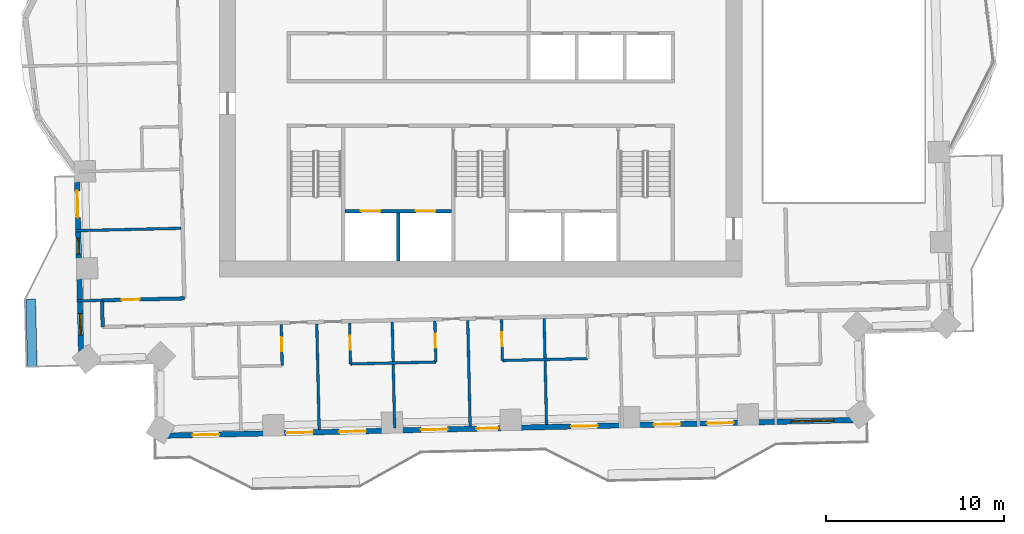
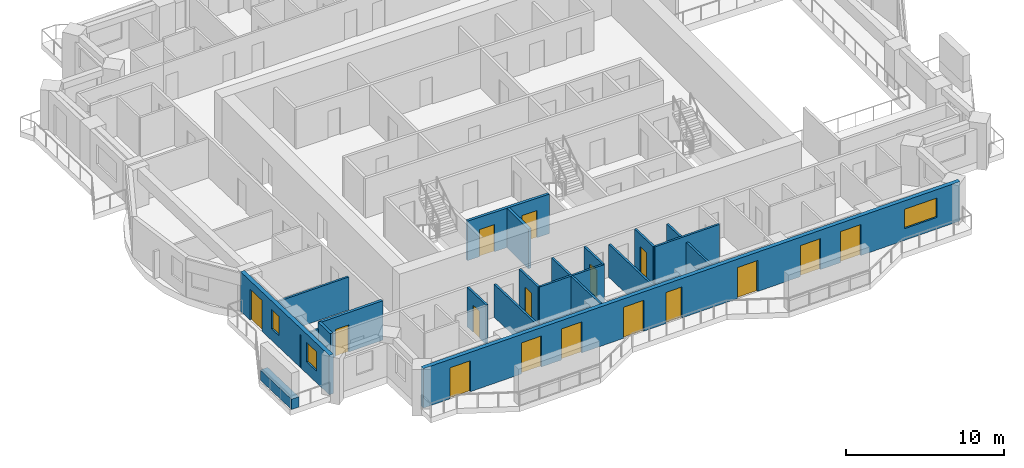
# One storey, part 6 of 16: 19 walls, 16 doors, 3 windows, 19 openings.
"""IFC4 building model written with IfcOpenShell, lengths in metres."""

import ifcopenshell
import ifcopenshell.guid

model = None  # the IFC model being written
_history = None  # IfcOwnerHistory: only IFC2X3 demands one
_inside = {}  # id of a spatial element -> (the spatial element, [elements in it])
_under = {}  # id of a project, library or spatial element -> (it, [spatial elements below it])
_declared = {}  # id of a project -> (the project, [libraries it declares])
_typed = {}  # id of a type object -> (the type object, [elements of that type])
_made_of = {}  # id of a material, layer set ... -> (it, [elements and type objects made of it])


def new_model(schema):
    """Start an empty IFC model of exactly this schema.

    Asked for "IFC4X3", IfcOpenShell would pick the latest addendum, in which some entities
    have other attributes; the version numbers below select the first issue.
    IFC2X3 requires an IfcOwnerHistory on every rooted entity: one is made here for all.
    """
    global model, _history
    if schema == "IFC4X3":
        model = ifcopenshell.file(schema_version=(4, 3, 0, 0))
    else:
        model = ifcopenshell.file(schema=schema)
    _inside.clear()
    _under.clear()
    _declared.clear()
    _typed.clear()
    _made_of.clear()
    _history = None
    if model.schema == "IFC2X3":
        org = make("IfcOrganization", Name="unknown")
        user = make(
            "IfcPersonAndOrganization",
            ThePerson=make("IfcPerson", FamilyName="unknown"),
            TheOrganization=org,
        )
        app = make(
            "IfcApplication",
            ApplicationDeveloper=org,
            Version="unknown",
            ApplicationFullName="unknown",
            ApplicationIdentifier="unknown",
        )
        _history = make(
            "IfcOwnerHistory",
            OwningUser=user,
            OwningApplication=app,
            ChangeAction="ADDED",
            CreationDate=0,
        )
    return model


def make(cls, **values):
    """One entity of the class cls with the attributes given. An attribute that is None is left unset."""
    return model.create_entity(
        cls, **{name: value for name, value in values.items() if value is not None}
    )


def rooted(cls, **values):
    """An entity with a GlobalId (a new one), such as an element, a storey or a relation."""
    return make(cls, GlobalId=ifcopenshell.guid.new(), OwnerHistory=_history, **values)


def si_unit(unit_type, name, prefix=None):
    """IfcSIUnit, for example si_unit("LENGTHUNIT", "METRE", prefix="MILLI")."""
    return make("IfcSIUnit", UnitType=unit_type, Prefix=prefix, Name=name)


def assignment(units):
    """IfcUnitAssignment: the units of a project."""
    return None if units is None else make("IfcUnitAssignment", Units=units)


def point(xyz):
    """IfcCartesianPoint."""
    return None if xyz is None else make("IfcCartesianPoint", Coordinates=xyz)


def direction(xyz):
    """IfcDirection."""
    return None if xyz is None else make("IfcDirection", DirectionRatios=xyz)


def frame(location, z_axis=None, x_axis=None):
    """IfcAxis2Placement3D, a coordinate frame: its origin and axes. An axis left out is left unset."""
    return make(
        "IfcAxis2Placement3D",
        Location=point(location),
        Axis=direction(z_axis),
        RefDirection=direction(x_axis),
    )


def frame_2d(location, x_axis=None):
    """IfcAxis2Placement2D, a coordinate frame in the plane: its origin and x axis."""
    return make(
        "IfcAxis2Placement2D", Location=point(location), RefDirection=direction(x_axis)
    )


def origin():
    """The frame at (0, 0, 0) with its axes left unset."""
    return frame((0.0, 0.0, 0.0))


def place(relative_to, where):
    """IfcLocalPlacement: puts the frame where relative to a parent placement (None: the world)."""
    return make(
        "IfcLocalPlacement", PlacementRelTo=relative_to, RelativePlacement=where
    )


def context(
    kind, dimensions, precision=None, world=None, true_north=None, identifier=None
):
    """IfcGeometricRepresentationContext, for example the 3D "Model" context."""
    return make(
        "IfcGeometricRepresentationContext",
        ContextIdentifier=identifier,
        ContextType=kind,
        CoordinateSpaceDimension=dimensions,
        Precision=precision,
        WorldCoordinateSystem=world,
        TrueNorth=true_north,
    )


def subcontext(parent, identifier, kind, view, scale=None):
    """IfcGeometricRepresentationSubContext, for example "Body" below "Model"."""
    return make(
        "IfcGeometricRepresentationSubContext",
        ContextIdentifier=identifier,
        ContextType=kind,
        ParentContext=parent,
        TargetScale=scale,
        TargetView=view,
    )


def project(units=None, contexts=None):
    """IfcProject with its units and contexts."""
    return rooted(
        "IfcProject",
        Name="project",
        RepresentationContexts=contexts,
        UnitsInContext=assignment(units),
    )


def spatial(cls, under=None, at=None, **own):
    """A site, building, storey or space (cls), placed at a placement, below another one or the project."""
    s = rooted(cls, ObjectPlacement=at, **own)
    if under is not None:
        _under.setdefault(under.id(), (under, []))[1].append(s)
    return s


def profile(cls, at=None, kind="AREA", **sizes):
    """A parametric profile (cls). Its sizes go by their IFC names, for example OverallWidth=200.0."""
    return make(cls, ProfileType=kind, Position=at, **sizes)


def rectangle(**sizes):
    """IfcRectangleProfileDef."""
    return profile("IfcRectangleProfileDef", **sizes)


def extrude(swept, where, along, depth):
    """IfcExtrudedAreaSolid: the profile swept, set in the frame where, extruded along a direction by depth."""
    return make(
        "IfcExtrudedAreaSolid",
        SweptArea=swept,
        Position=where,
        ExtrudedDirection=direction(along),
        Depth=depth,
    )


def shape(context_of_items, identifier, shape_type, items):
    """IfcShapeRepresentation: the items that make up one representation, for example the "Body"."""
    return make(
        "IfcShapeRepresentation",
        ContextOfItems=context_of_items,
        RepresentationIdentifier=identifier,
        RepresentationType=shape_type,
        Items=items,
    )


def material(Name=None, Category=None):
    """IfcMaterial."""
    return make("IfcMaterial", Name=Name, Category=Category)


def layer(
    of_material, thickness, ventilated=None, Name=None, Category=None, Priority=None
):
    """IfcMaterialLayer: one layer of a wall or slab, of a material (None: an air gap)."""
    return make(
        "IfcMaterialLayer",
        Material=of_material,
        LayerThickness=thickness,
        IsVentilated=ventilated,
        Name=Name,
        Category=Category,
        Priority=Priority,
    )


def layer_set(layers, Name=None):
    """IfcMaterialLayerSet."""
    return make("IfcMaterialLayerSet", MaterialLayers=layers, LayerSetName=Name)


def made_of(thing, what):
    """Note that an element or type object is made of a material, layer set ...; save() writes the relation."""
    if what is not None:
        _made_of.setdefault(what.id(), (what, []))[1].append(thing)
    return thing


def type_object(cls, material=None, **own):
    """A type object (cls), such as IfcWallType, which elements share."""
    return made_of(rooted(cls, **own), material)


def element(
    cls,
    number,
    at=None,
    inside=None,
    cuts=None,
    type_object=None,
    material=None,
    context=None,
    identifier="Body",
    shape_type=None,
    held_by="IfcProductDefinitionShape",
    body=None,
    shapes=None,
    **own,
):
    """One element of the class cls, such as IfcWall. Its Tag is "e" and its number.

    at: its placement. inside: the storey or other place that contains it. cuts: it is an
    opening in that element (IfcRelVoidsElement). A single representation is given by context,
    identifier, shape_type and body (its items); several are given by shapes. held_by: the class
    of the entity that holds the representations. save() writes the other relations.
    """
    e = rooted(cls, Tag="e%d" % number, ObjectPlacement=at, **own)
    if body is not None:
        shapes = [shape(context, identifier, shape_type, body)]
    if shapes is not None:
        e.Representation = make(held_by, Representations=shapes)
    if inside is not None:
        _inside.setdefault(inside.id(), (inside, []))[1].append(e)
    if cuts is not None:
        rooted(
            "IfcRelVoidsElement", RelatingBuildingElement=cuts, RelatedOpeningElement=e
        )
    if type_object is not None:
        _typed.setdefault(type_object.id(), (type_object, []))[1].append(e)
    return made_of(e, material)


def fill(opening, filler):
    """IfcRelFillsElement: the door or window that sits in an opening."""
    return rooted(
        "IfcRelFillsElement",
        RelatingOpeningElement=opening,
        RelatedBuildingElement=filler,
    )


def aggregate(whole, parts):
    """IfcRelAggregates: a whole, such as a stair, and the parts it consists of."""
    return rooted("IfcRelAggregates", RelatingObject=whole, RelatedObjects=parts)


def save(model, path):
    """Write the relations noted so far, then the file.

    IfcRelAggregates (storeys below a building ...), IfcRelContainedInSpatialStructure (elements
    in a storey), IfcRelDefinesByType, IfcRelAssociatesMaterial and IfcRelDeclares: one each for
    every whole, place, type object, material and project.
    """
    for whole, parts in _under.values():
        aggregate(whole, parts)
    for where, things in _inside.values():
        rooted(
            "IfcRelContainedInSpatialStructure",
            RelatedElements=things,
            RelatingStructure=where,
        )
    for kind, things in _typed.values():
        rooted("IfcRelDefinesByType", RelatedObjects=things, RelatingType=kind)
    for what, things in _made_of.values():
        rooted("IfcRelAssociatesMaterial", RelatedObjects=things, RelatingMaterial=what)
    for by, libraries in _declared.values():
        rooted("IfcRelDeclares", RelatingContext=by, RelatedDefinitions=libraries)
    model.write(path)


model = new_model("IFC4")

# Units and contexts
model_context = context("Model", 3, precision=1e-05, world=origin(), true_north=direction((0.0, 1.0)))
body_context = subcontext(model_context, "Body", "Model", "MODEL_VIEW")
ifc_project = project(units=[si_unit("LENGTHUNIT", "METRE"), si_unit("AREAUNIT", "SQUARE_METRE"), si_unit("VOLUMEUNIT", "CUBIC_METRE"), si_unit("PLANEANGLEUNIT", "RADIAN"), si_unit("MASSUNIT", "GRAM", prefix="KILO")], contexts=[model_context])

# Site, building, storey
site_placement = place(None, origin())
site = spatial("IfcSite", under=ifc_project, at=site_placement, CompositionType="ELEMENT")
building_placement = place(site_placement, origin())
building = spatial("IfcBuilding", under=site, at=building_placement, Name="Mangrove Gate Tower", CompositionType="ELEMENT")
storey_placement = place(building_placement, frame((0.0, 0.0, 178.89990234375)))
storey = spatial("IfcBuildingStorey", under=building, at=storey_placement, Name="L45", CompositionType="ELEMENT", Elevation=178.89990234375)

# Wall, openings, doors
ifc_material_1 = material(Name="Concrete C60/75", Category="concrete")
ifc_layer_1 = layer(ifc_material_1, 0.199951171875)
ifc_layer_set_1 = layer_set([ifc_layer_1], Name="Core shaft wall 200 C60/75")
wall_type_1 = type_object("IfcWallType", Name="Core shaft wall 200 C60/75", PredefinedType="SHEAR", material=ifc_layer_set_1)
wall_1_placement = place(storey_placement, frame((-7.64990234375, -8.0, 0.0), z_axis=(0.0, 0.0, 1.0), x_axis=(1.0, 0.0, 0.0)))
wall_1 = element("IfcWall", 1, at=wall_1_placement, inside=storey, type_object=wall_type_1, Name="WALL-L45-CORE-15", PredefinedType="SHEAR", context=body_context, shape_type="SweptSolid", body=[
    extrude(rectangle(XDim=6.0, YDim=0.199951171875, at=frame_2d((3.0, 0.0))), origin(), (0.0, 0.0, 1.0), 3.050048828125),
])
opening_1_placement = place(wall_1_placement, frame((0.89990234375, 0.0, 0.0)))
opening_1 = element("IfcOpeningElement", 2, at=opening_1_placement, cuts=wall_1, Name="Opening LD", PredefinedType="OPENING", context=body_context, shape_type="SweptSolid", body=[
    extrude(rectangle(XDim=1.10009765625, YDim=2.10009765625, at=frame_2d((0.550048828125, 1.050048828125))), frame((0.0, 0.10986328125, 0.0), z_axis=(0.0, -1.0, 0.0), x_axis=(1.0, 0.0, 0.0)), (0.0, 0.0, 1.0), 0.219970703125),
])
opening_2_placement = place(wall_1_placement, frame((4.0, 0.0, 0.0)))
opening_2 = element("IfcOpeningElement", 3, at=opening_2_placement, cuts=wall_1, Name="Opening LD", PredefinedType="OPENING", context=body_context, shape_type="SweptSolid", body=[
    extrude(rectangle(XDim=1.10009765625, YDim=2.10009765625, at=frame_2d((0.550048828125, 1.050048828125))), frame((0.0, 0.10986328125, 0.0), z_axis=(0.0, -1.0, 0.0), x_axis=(1.0, 0.0, 0.0)), (0.0, 0.0, 1.0), 0.219970703125),
])
ifc_material_2 = material(Name="Stainless steel 316", Category="steel")
door_type_1 = type_object("IfcDoorType", Name="Lift landing door 1100x2100", OperationType="SLIDING_TO_LEFT", PredefinedType="DOOR", material=ifc_material_2)
door_1_placement = place(opening_1_placement, origin())
door_1 = element("IfcDoor", 4, at=door_1_placement, inside=storey, type_object=door_type_1, Name="Landing door LD SVL1", OperationType="SLIDING_TO_LEFT", OverallHeight=2.10009765625, OverallWidth=1.10009765625, PredefinedType="DOOR", context=body_context, shape_type="SweptSolid", body=[
    extrude(rectangle(XDim=1.10009765625, YDim=2.10009765625, at=frame_2d((0.550048828125, 1.050048828125))), frame((0.0, 0.02490234375, 0.0), z_axis=(0.0, -1.0, 0.0), x_axis=(1.0, 0.0, 0.0)), (0.0, 0.0, 1.0), 0.050048828125),
])
fill(opening_1, door_1)
door_2_placement = place(opening_2_placement, origin())
door_2 = element("IfcDoor", 5, at=door_2_placement, inside=storey, type_object=door_type_1, Name="Landing door LD SVL2", OperationType="SLIDING_TO_LEFT", OverallHeight=2.10009765625, OverallWidth=1.10009765625, PredefinedType="DOOR", context=body_context, shape_type="SweptSolid", body=[
    extrude(rectangle(XDim=1.10009765625, YDim=2.10009765625, at=frame_2d((0.550048828125, 1.050048828125))), frame((0.0, 0.02490234375, 0.0), z_axis=(0.0, -1.0, 0.0), x_axis=(1.0, 0.0, 0.0)), (0.0, 0.0, 1.0), 0.050048828125),
])
fill(opening_2, door_2)

# Walls
wall_2_placement = place(storey_placement, frame((-4.64990234375, -10.800048828125, 0.0), z_axis=(0.0, 0.0, 1.0), x_axis=(0.0, 1.0, 0.0)))
element("IfcWall", 6, at=wall_2_placement, inside=storey, type_object=wall_type_1, Name="WALL-L45-CORE-16", PredefinedType="SHEAR", context=body_context, shape_type="SweptSolid", body=[
    extrude(rectangle(XDim=2.699951171875, YDim=0.199951171875, at=frame_2d((1.35009765625, 0.0))), origin(), (0.0, 0.0, 1.0), 3.050048828125),
])
ifc_material_3 = material(Name="Gypsum board on steel stud, EI 60", Category="steel")
ifc_layer_2 = layer(ifc_material_3, 0.199951171875)
ifc_layer_set_2 = layer_set([ifc_layer_2], Name="Corridor wall EI 60")
wall_type_2 = type_object("IfcWallType", Name="Corridor wall EI 60", PredefinedType="PARTITIONING", material=ifc_layer_set_2)
wall_3_placement = place(storey_placement, frame((-21.279052734375, -14.52294921875, 0.0), z_axis=(0.0, 0.0, 1.0), x_axis=(-0.022632637625, 0.99974384905, 0.0)))
element("IfcWall", 7, at=wall_3_placement, inside=storey, type_object=wall_type_2, Name="WALL-L45-025", PredefinedType="PARTITIONING", context=body_context, shape_type="SweptSolid", body=[
    extrude(rectangle(XDim=1.49951171875, YDim=0.199951171875, at=frame_2d((0.749755859375, 0.0))), origin(), (0.0, 0.0, 1.0), 3.050048828125),
])

# Wall, opening, door
wall_4_placement = place(storey_placement, frame((-21.31298828125, -13.02392578125, 0.0), z_axis=(0.0, 0.0, 1.0), x_axis=(0.999738699021, 0.022858995594, 0.0)))
wall_4 = element("IfcWall", 8, at=wall_4_placement, inside=storey, type_object=wall_type_2, Name="WALL-L45-028", PredefinedType="PARTITIONING", context=body_context, shape_type="SweptSolid", body=[
    extrude(rectangle(XDim=4.63525390625, YDim=0.199951171875, at=frame_2d((2.317626953125, 0.0))), origin(), (0.0, 0.0, 1.0), 3.050048828125),
])
opening_3_placement = place(wall_4_placement, frame((1.116943359375, 0.0, 0.0)))
opening_3 = element("IfcOpeningElement", 9, at=opening_3_placement, cuts=wall_4, Name="Opening AD", PredefinedType="OPENING", context=body_context, shape_type="SweptSolid", body=[
    extrude(rectangle(XDim=1.0, YDim=2.10009765625, at=frame_2d((0.5, 1.050048828125))), frame((0.0, 0.10986328125, 0.0), z_axis=(0.0, -1.0, 0.0), x_axis=(1.0, 0.0, 0.0)), (0.0, 0.0, 1.0), 0.219970703125),
])
ifc_material_4 = material(Name="Timber door leaf", Category="wood")
door_type_2 = type_object("IfcDoorType", Name="Amenity door 1000", OperationType="SINGLE_SWING_LEFT", PredefinedType="DOOR", material=ifc_material_4)
door_3_placement = place(opening_3_placement, origin())
door_3 = element("IfcDoor", 10, at=door_3_placement, inside=storey, type_object=door_type_2, Name="DOOR-L45-KIT-c5b", OperationType="SINGLE_SWING_LEFT", OverallHeight=2.10009765625, OverallWidth=1.0, PredefinedType="DOOR", context=body_context, shape_type="SweptSolid", body=[
    extrude(rectangle(XDim=1.0, YDim=2.10009765625, at=frame_2d((0.5, 1.050048828125))), frame((0.0, 0.02490234375, 0.0), z_axis=(0.0, -1.0, 0.0), x_axis=(1.0, 0.0, 0.0)), (0.0, 0.0, 1.0), 0.050048828125),
])
fill(opening_3, door_3)

# Wall, openings, door, windows
ifc_material_5 = material(Name="Limestone", Category="masonry")
ifc_layer_3 = layer(ifc_material_5, 0.0400390625, Name="Limestone cladding")
ifc_material_6 = material(Name="Ventilated air gap")
ifc_layer_4 = layer(ifc_material_6, 0.0400390625, Name="Ventilated cavity")
ifc_material_7 = material(Name="Mineral wool insulation")
ifc_layer_5 = layer(ifc_material_7, 0.06005859375, Name="Insulation")
ifc_material_8 = material(Name="Breather membrane")
ifc_layer_6 = layer(ifc_material_8, 0.001953125, Name="Breather membrane")
ifc_material_9 = material(Name="Concrete C20/25 blockwork", Category="masonry")
ifc_layer_7 = layer(ifc_material_9, 0.14990234375, Name="Blockwork backing wall")
ifc_material_10 = material(Name="Gypsum plaster")
ifc_layer_8 = layer(ifc_material_10, 0.008056640625, Name="Internal plaster")
ifc_layer_set_3 = layer_set([ifc_layer_3, ifc_layer_4, ifc_layer_5, ifc_layer_6, ifc_layer_7, ifc_layer_8], Name="External wall 300 limestone cladding")
wall_type_3 = type_object("IfcWallType", Name="External wall 300 limestone cladding", PredefinedType="SOLIDWALL", material=ifc_layer_set_3)
wall_5_placement = place(storey_placement, frame((-22.72900390625, -5.72509765625, 0.0), z_axis=(0.0, 0.0, 1.0), x_axis=(0.022726014582, -0.999741730779, 0.0)))
wall_5 = element("IfcWall", 11, at=wall_5_placement, inside=storey, type_object=wall_type_3, Name="WALL-L45-W10", PredefinedType="SOLIDWALL", context=body_context, shape_type="SweptSolid", body=[
    extrude(rectangle(XDim=10.82861328125, YDim=0.300048828125, at=frame_2d((5.414306640625, 0.0))), origin(), (0.0, 0.0, 1.0), 3.050048828125),
])
opening_4_placement = place(wall_5_placement, frame((1.14208984375, 0.0, 0.0)))
opening_4 = element("IfcOpeningElement", 12, at=opening_4_placement, cuts=wall_5, Name="Opening BD1", PredefinedType="OPENING", context=body_context, shape_type="SweptSolid", body=[
    extrude(rectangle(XDim=1.5, YDim=2.39990234375, at=frame_2d((0.75, 1.199951171875))), frame((0.0, 0.159912109375, 0.0), z_axis=(0.0, -1.0, 0.0), x_axis=(1.0, 0.0, 0.0)), (0.0, 0.0, 1.0), 0.320068359375),
])
opening_5_placement = place(wall_5_placement, frame((3.798095703125, 0.0, 0.89990234375)))
opening_5 = element("IfcOpeningElement", 13, at=opening_5_placement, cuts=wall_5, Name="Opening W5", PredefinedType="OPENING", context=body_context, shape_type="SweptSolid", body=[
    extrude(rectangle(XDim=0.89990234375, YDim=1.5, at=frame_2d((0.449951171875, 0.75))), frame((0.0, 0.159912109375, 0.0), z_axis=(0.0, -1.0, 0.0), x_axis=(1.0, 0.0, 0.0)), (0.0, 0.0, 1.0), 0.320068359375),
])
opening_6_placement = place(wall_5_placement, frame((8.050048828125, 0.0, 0.89990234375)))
opening_6 = element("IfcOpeningElement", 14, at=opening_6_placement, cuts=wall_5, Name="Opening W1", PredefinedType="OPENING", context=body_context, shape_type="SweptSolid", body=[
    extrude(rectangle(XDim=1.199951171875, YDim=1.5, at=frame_2d((0.60009765625, 0.75))), frame((0.0, 0.159912109375, 0.0), z_axis=(0.0, -1.0, 0.0), x_axis=(1.0, 0.0, 0.0)), (0.0, 0.0, 1.0), 0.320068359375),
])
ifc_material_11 = material(Name="Aluminium frame with laminated clear glass", Category="aluminium")
door_type_3 = type_object("IfcDoorType", Name="Balcony sliding door 1500x2400", OperationType="SLIDING_TO_LEFT", PredefinedType="DOOR", material=ifc_material_11)
door_4_placement = place(opening_4_placement, origin())
door_4 = element("IfcDoor", 15, at=door_4_placement, inside=storey, type_object=door_type_3, Name="DOOR-L45-W10-1", OperationType="SLIDING_TO_LEFT", OverallHeight=2.39990234375, OverallWidth=1.5, PredefinedType="DOOR", context=body_context, shape_type="SweptSolid", body=[
    extrude(rectangle(XDim=1.5, YDim=2.39990234375, at=frame_2d((0.75, 1.199951171875))), frame((0.0, 0.02490234375, 0.0), z_axis=(0.0, -1.0, 0.0), x_axis=(1.0, 0.0, 0.0)), (0.0, 0.0, 1.0), 0.050048828125),
])
fill(opening_4, door_4)
ifc_material_12 = material(Name="Aluminium frame with double-glazed low-e glass", Category="aluminium")
window_type_1 = type_object("IfcWindowType", Name="Narrow window 900x1500", PartitioningType="SINGLE_PANEL", PredefinedType="WINDOW", material=ifc_material_12)
window_1_placement = place(opening_5_placement, origin())
window_1 = element("IfcWindow", 16, at=window_1_placement, inside=storey, type_object=window_type_1, Name="WIN-L45-W10-2", OverallHeight=1.5, OverallWidth=0.89990234375, PartitioningType="SINGLE_PANEL", PredefinedType="WINDOW", context=body_context, shape_type="SweptSolid", body=[
    extrude(rectangle(XDim=0.89990234375, YDim=1.5, at=frame_2d((0.449951171875, 0.75))), frame((0.0, 0.030029296875, 0.0), z_axis=(0.0, -1.0, 0.0), x_axis=(1.0, 0.0, 0.0)), (0.0, 0.0, 1.0), 0.06005859375),
])
fill(opening_5, window_1)
ifc_material_13 = material(Name="Aluminium frame with double-glazed low-e glass", Category="aluminium")
window_type_2 = type_object("IfcWindowType", Name="Side lite 1200x1500", PartitioningType="SINGLE_PANEL", PredefinedType="WINDOW", material=ifc_material_13)
window_2_placement = place(opening_6_placement, origin())
window_2 = element("IfcWindow", 17, at=window_2_placement, inside=storey, type_object=window_type_2, Name="WIN-L45-W10-3", OverallHeight=1.5, OverallWidth=1.199951171875, PartitioningType="SINGLE_PANEL", PredefinedType="WINDOW", context=body_context, shape_type="SweptSolid", body=[
    extrude(rectangle(XDim=1.199951171875, YDim=1.5, at=frame_2d((0.60009765625, 0.75))), frame((0.0, 0.030029296875, 0.0), z_axis=(0.0, -1.0, 0.0), x_axis=(1.0, 0.0, 0.0)), (0.0, 0.0, 1.0), 0.06005859375),
])
fill(opening_6, window_2)

# Wall, openings, doors, window
wall_6_placement = place(storey_placement, frame((-18.18896484375, -20.655029296875, 0.0), z_axis=(0.0, 0.0, 1.0), x_axis=(0.999742285265, 0.022701609063, 0.0)))
wall_6 = element("IfcWall", 18, at=wall_6_placement, inside=storey, type_object=wall_type_3, Name="WALL-L45-S13", PredefinedType="SOLIDWALL", context=body_context, shape_type="SweptSolid", body=[
    extrude(rectangle(XDim=39.7802734375, YDim=0.300048828125, at=frame_2d((19.89013671875, 0.0))), origin(), (0.0, 0.0, 1.0), 3.050048828125),
])
opening_7_placement = place(wall_6_placement, frame((1.972900390625, 0.0, 0.0)))
opening_7 = element("IfcOpeningElement", 19, at=opening_7_placement, cuts=wall_6, Name="Opening BD1", PredefinedType="OPENING", context=body_context, shape_type="SweptSolid", body=[
    extrude(rectangle(XDim=1.5, YDim=2.39990234375, at=frame_2d((0.75, 1.199951171875))), frame((0.0, 0.159912109375, 0.0), z_axis=(0.0, -1.0, 0.0), x_axis=(1.0, 0.0, 0.0)), (0.0, 0.0, 1.0), 0.320068359375),
])
opening_8_placement = place(wall_6_placement, frame((7.239990234375, 0.0, 0.0)))
opening_8 = element("IfcOpeningElement", 20, at=opening_8_placement, cuts=wall_6, Name="Opening BD1", PredefinedType="OPENING", context=body_context, shape_type="SweptSolid", body=[
    extrude(rectangle(XDim=1.5, YDim=2.39990234375, at=frame_2d((0.75, 1.199951171875))), frame((0.0, 0.159912109375, 0.0), z_axis=(0.0, -1.0, 0.0), x_axis=(1.0, 0.0, 0.0)), (0.0, 0.0, 1.0), 0.320068359375),
])
opening_9_placement = place(wall_6_placement, frame((10.22998046875, 0.0, 0.0)))
opening_9 = element("IfcOpeningElement", 21, at=opening_9_placement, cuts=wall_6, Name="Opening BD1", PredefinedType="OPENING", context=body_context, shape_type="SweptSolid", body=[
    extrude(rectangle(XDim=1.5, YDim=2.39990234375, at=frame_2d((0.75, 1.199951171875))), frame((0.0, 0.159912109375, 0.0), z_axis=(0.0, -1.0, 0.0), x_axis=(1.0, 0.0, 0.0)), (0.0, 0.0, 1.0), 0.320068359375),
])
opening_10_placement = place(wall_6_placement, frame((14.830078125, 0.0, 0.0)))
opening_10 = element("IfcOpeningElement", 22, at=opening_10_placement, cuts=wall_6, Name="Opening BD1", PredefinedType="OPENING", context=body_context, shape_type="SweptSolid", body=[
    extrude(rectangle(XDim=1.5, YDim=2.39990234375, at=frame_2d((0.75, 1.199951171875))), frame((0.0, 0.159912109375, 0.0), z_axis=(0.0, -1.0, 0.0), x_axis=(1.0, 0.0, 0.0)), (0.0, 0.0, 1.0), 0.320068359375),
])
opening_11_placement = place(wall_6_placement, frame((17.969970703125, 0.0, 0.0)))
opening_11 = element("IfcOpeningElement", 23, at=opening_11_placement, cuts=wall_6, Name="Opening BD2", PredefinedType="OPENING", context=body_context, shape_type="SweptSolid", body=[
    extrude(rectangle(XDim=1.199951171875, YDim=2.39990234375, at=frame_2d((0.60009765625, 1.199951171875))), frame((0.0, 0.159912109375, 0.0), z_axis=(0.0, -1.0, 0.0), x_axis=(1.0, 0.0, 0.0)), (0.0, 0.0, 1.0), 0.320068359375),
])
opening_12_placement = place(wall_6_placement, frame((23.27490234375, 0.0, 0.0)))
opening_12 = element("IfcOpeningElement", 24, at=opening_12_placement, cuts=wall_6, Name="Opening BD1", PredefinedType="OPENING", context=body_context, shape_type="SweptSolid", body=[
    extrude(rectangle(XDim=1.5, YDim=2.39990234375, at=frame_2d((0.75, 1.199951171875))), frame((0.0, 0.159912109375, 0.0), z_axis=(0.0, -1.0, 0.0), x_axis=(1.0, 0.0, 0.0)), (0.0, 0.0, 1.0), 0.320068359375),
])
opening_13_placement = place(wall_6_placement, frame((27.93505859375, 0.0, 0.0)))
opening_13 = element("IfcOpeningElement", 25, at=opening_13_placement, cuts=wall_6, Name="Opening BD1", PredefinedType="OPENING", context=body_context, shape_type="SweptSolid", body=[
    extrude(rectangle(XDim=1.5, YDim=2.39990234375, at=frame_2d((0.75, 1.199951171875))), frame((0.0, 0.159912109375, 0.0), z_axis=(0.0, -1.0, 0.0), x_axis=(1.0, 0.0, 0.0)), (0.0, 0.0, 1.0), 0.320068359375),
])
opening_14_placement = place(wall_6_placement, frame((30.925048828125, 0.0, 0.0)))
opening_14 = element("IfcOpeningElement", 26, at=opening_14_placement, cuts=wall_6, Name="Opening BD1", PredefinedType="OPENING", context=body_context, shape_type="SweptSolid", body=[
    extrude(rectangle(XDim=1.5, YDim=2.39990234375, at=frame_2d((0.75, 1.199951171875))), frame((0.0, 0.159912109375, 0.0), z_axis=(0.0, -1.0, 0.0), x_axis=(1.0, 0.0, 0.0)), (0.0, 0.0, 1.0), 0.320068359375),
])
opening_15_placement = place(wall_6_placement, frame((35.6650390625, 0.0, 0.89990234375)))
opening_15 = element("IfcOpeningElement", 27, at=opening_15_placement, cuts=wall_6, Name="Opening W2", PredefinedType="OPENING", context=body_context, shape_type="SweptSolid", body=[
    extrude(rectangle(XDim=2.39990234375, YDim=1.5, at=frame_2d((1.199951171875, 0.75))), frame((0.0, 0.159912109375, 0.0), z_axis=(0.0, -1.0, 0.0), x_axis=(1.0, 0.0, 0.0)), (0.0, 0.0, 1.0), 0.320068359375),
])
ifc_material_14 = material(Name="Aluminium frame with laminated clear glass", Category="aluminium")
door_type_4 = type_object("IfcDoorType", Name="Balcony sliding door 1200x2400", OperationType="SLIDING_TO_LEFT", PredefinedType="DOOR", material=ifc_material_14)
door_5_placement = place(opening_11_placement, origin())
door_5 = element("IfcDoor", 28, at=door_5_placement, inside=storey, type_object=door_type_4, Name="DOOR-L45-S13-5", OperationType="SLIDING_TO_LEFT", OverallHeight=2.39990234375, OverallWidth=1.199951171875, PredefinedType="DOOR", context=body_context, shape_type="SweptSolid", body=[
    extrude(rectangle(XDim=1.199951171875, YDim=2.39990234375, at=frame_2d((0.60009765625, 1.199951171875))), frame((0.0, 0.02490234375, 0.0), z_axis=(0.0, -1.0, 0.0), x_axis=(1.0, 0.0, 0.0)), (0.0, 0.0, 1.0), 0.050048828125),
])
fill(opening_11, door_5)
door_6_placement = place(opening_7_placement, origin())
door_6 = element("IfcDoor", 29, at=door_6_placement, inside=storey, type_object=door_type_3, Name="DOOR-L45-S13-1", OperationType="SLIDING_TO_LEFT", OverallHeight=2.39990234375, OverallWidth=1.5, PredefinedType="DOOR", context=body_context, shape_type="SweptSolid", body=[
    extrude(rectangle(XDim=1.5, YDim=2.39990234375, at=frame_2d((0.75, 1.199951171875))), frame((0.0, 0.02490234375, 0.0), z_axis=(0.0, -1.0, 0.0), x_axis=(1.0, 0.0, 0.0)), (0.0, 0.0, 1.0), 0.050048828125),
])
fill(opening_7, door_6)
door_7_placement = place(opening_8_placement, origin())
door_7 = element("IfcDoor", 30, at=door_7_placement, inside=storey, type_object=door_type_3, Name="DOOR-L45-S13-2", OperationType="SLIDING_TO_LEFT", OverallHeight=2.39990234375, OverallWidth=1.5, PredefinedType="DOOR", context=body_context, shape_type="SweptSolid", body=[
    extrude(rectangle(XDim=1.5, YDim=2.39990234375, at=frame_2d((0.75, 1.199951171875))), frame((0.0, 0.02490234375, 0.0), z_axis=(0.0, -1.0, 0.0), x_axis=(1.0, 0.0, 0.0)), (0.0, 0.0, 1.0), 0.050048828125),
])
fill(opening_8, door_7)
door_8_placement = place(opening_9_placement, origin())
door_8 = element("IfcDoor", 31, at=door_8_placement, inside=storey, type_object=door_type_3, Name="DOOR-L45-S13-3", OperationType="SLIDING_TO_LEFT", OverallHeight=2.39990234375, OverallWidth=1.5, PredefinedType="DOOR", context=body_context, shape_type="SweptSolid", body=[
    extrude(rectangle(XDim=1.5, YDim=2.39990234375, at=frame_2d((0.75, 1.199951171875))), frame((0.0, 0.02490234375, 0.0), z_axis=(0.0, -1.0, 0.0), x_axis=(1.0, 0.0, 0.0)), (0.0, 0.0, 1.0), 0.050048828125),
])
fill(opening_9, door_8)
door_9_placement = place(opening_10_placement, origin())
door_9 = element("IfcDoor", 32, at=door_9_placement, inside=storey, type_object=door_type_3, Name="DOOR-L45-S13-4", OperationType="SLIDING_TO_LEFT", OverallHeight=2.39990234375, OverallWidth=1.5, PredefinedType="DOOR", context=body_context, shape_type="SweptSolid", body=[
    extrude(rectangle(XDim=1.5, YDim=2.39990234375, at=frame_2d((0.75, 1.199951171875))), frame((0.0, 0.02490234375, 0.0), z_axis=(0.0, -1.0, 0.0), x_axis=(1.0, 0.0, 0.0)), (0.0, 0.0, 1.0), 0.050048828125),
])
fill(opening_10, door_9)
door_10_placement = place(opening_12_placement, origin())
door_10 = element("IfcDoor", 33, at=door_10_placement, inside=storey, type_object=door_type_3, Name="DOOR-L45-S13-6", OperationType="SLIDING_TO_LEFT", OverallHeight=2.39990234375, OverallWidth=1.5, PredefinedType="DOOR", context=body_context, shape_type="SweptSolid", body=[
    extrude(rectangle(XDim=1.5, YDim=2.39990234375, at=frame_2d((0.75, 1.199951171875))), frame((0.0, 0.02490234375, 0.0), z_axis=(0.0, -1.0, 0.0), x_axis=(1.0, 0.0, 0.0)), (0.0, 0.0, 1.0), 0.050048828125),
])
fill(opening_12, door_10)
door_11_placement = place(opening_13_placement, origin())
door_11 = element("IfcDoor", 34, at=door_11_placement, inside=storey, type_object=door_type_3, Name="DOOR-L45-S13-7", OperationType="SLIDING_TO_LEFT", OverallHeight=2.39990234375, OverallWidth=1.5, PredefinedType="DOOR", context=body_context, shape_type="SweptSolid", body=[
    extrude(rectangle(XDim=1.5, YDim=2.39990234375, at=frame_2d((0.75, 1.199951171875))), frame((0.0, 0.02490234375, 0.0), z_axis=(0.0, -1.0, 0.0), x_axis=(1.0, 0.0, 0.0)), (0.0, 0.0, 1.0), 0.050048828125),
])
fill(opening_13, door_11)
door_12_placement = place(opening_14_placement, origin())
door_12 = element("IfcDoor", 35, at=door_12_placement, inside=storey, type_object=door_type_3, Name="DOOR-L45-S13-8", OperationType="SLIDING_TO_LEFT", OverallHeight=2.39990234375, OverallWidth=1.5, PredefinedType="DOOR", context=body_context, shape_type="SweptSolid", body=[
    extrude(rectangle(XDim=1.5, YDim=2.39990234375, at=frame_2d((0.75, 1.199951171875))), frame((0.0, 0.02490234375, 0.0), z_axis=(0.0, -1.0, 0.0), x_axis=(1.0, 0.0, 0.0)), (0.0, 0.0, 1.0), 0.050048828125),
])
fill(opening_14, door_12)
ifc_material_15 = material(Name="Aluminium frame with double-glazed low-e glass", Category="aluminium")
window_type_3 = type_object("IfcWindowType", Name="Corner room window 2400x1500", PartitioningType="DOUBLE_PANEL_VERTICAL", PredefinedType="WINDOW", material=ifc_material_15)
window_3_placement = place(opening_15_placement, origin())
window_3 = element("IfcWindow", 36, at=window_3_placement, inside=storey, type_object=window_type_3, Name="WIN-L45-S13-9", OverallHeight=1.5, OverallWidth=2.39990234375, PartitioningType="DOUBLE_PANEL_VERTICAL", PredefinedType="WINDOW", context=body_context, shape_type="SweptSolid", body=[
    extrude(rectangle(XDim=2.39990234375, YDim=1.5, at=frame_2d((1.199951171875, 0.75))), frame((0.0, 0.030029296875, 0.0), z_axis=(0.0, -1.0, 0.0), x_axis=(1.0, 0.0, 0.0)), (0.0, 0.0, 1.0), 0.06005859375),
])
fill(opening_15, window_3)

# Walls
ifc_material_16 = material(Name="Gypsum board on steel stud, EI 60", Category="steel")
ifc_layer_9 = layer(ifc_material_16, 0.14990234375)
ifc_layer_set_4 = layer_set([ifc_layer_9], Name="Party wall 150 EI 60")
wall_type_4 = type_object("IfcWallType", Name="Party wall 150 EI 60", PredefinedType="PARTITIONING", material=ifc_layer_set_4)
wall_7_placement = place(storey_placement, frame((-9.094970703125, -20.298095703125, 0.0), z_axis=(0.0, 0.0, 1.0), x_axis=(-0.022692509051, 0.999742491861, 0.0)))
element("IfcWall", 37, at=wall_7_placement, inside=storey, type_object=wall_type_4, Name="WALL-L45-002", PredefinedType="PARTITIONING", context=body_context, shape_type="SweptSolid", body=[
    extrude(rectangle(XDim=5.949462890625, YDim=0.14990234375, at=frame_2d((2.974609375, 0.0))), origin(), (0.0, 0.0, 1.0), 2.550048828125),
])
wall_8_placement = place(storey_placement, frame((-4.845947265625, -20.201904296875, 0.0), z_axis=(0.0, 0.0, 1.0), x_axis=(-0.022688785847, 0.999742576365, 0.0)))
element("IfcWall", 38, at=wall_8_placement, inside=storey, type_object=wall_type_4, Name="WALL-L45-003", PredefinedType="PARTITIONING", context=body_context, shape_type="SweptSolid", body=[
    extrude(rectangle(XDim=5.950439453125, YDim=0.14990234375, at=frame_2d((2.97509765625, 0.0))), origin(), (0.0, 0.0, 1.0), 3.050048828125),
])
for number, where, z_axis, x_axis, name in (
    (39, (-0.596923828125, -20.10595703125, 0.0), (0.0, 0.0, 1.0), (-0.022688785847, 0.999742576365, 0.0), "WALL-L45-004"),
    (40, (3.701904296875, -20.008056640625, 0.0), (0.0, 0.0, 1.0), (-0.022688785847, 0.999742576365, 0.0), "WALL-L45-005"),
):
    element("IfcWall", number, at=place(storey_placement, frame(where, z_axis=z_axis, x_axis=x_axis)), inside=storey, type_object=wall_type_4, Name=name, PredefinedType="PARTITIONING", context=body_context, shape_type="SweptSolid", body=[
        extrude(rectangle(XDim=5.950439453125, YDim=0.14990234375, at=frame_2d((2.97509765625, 0.0))), origin(), (0.0, 0.0, 1.0), 2.550048828125),
    ])

# Wall, opening, door
wall_9_placement = place(storey_placement, frame((-11.177001953125, -16.695068359375, 0.0), z_axis=(0.0, 0.0, 1.0), x_axis=(-0.022603288534, 0.999744513037, 0.0)))
wall_9 = element("IfcWall", 41, at=wall_9_placement, inside=storey, type_object=wall_type_4, Name="WALL-L45-014", PredefinedType="PARTITIONING", context=body_context, shape_type="SweptSolid", body=[
    extrude(rectangle(XDim=2.300537109375, YDim=0.14990234375, at=frame_2d((1.150390625, 0.0))), origin(), (0.0, 0.0, 1.0), 3.050048828125),
])
opening_16_placement = place(wall_9_placement, frame((0.800048828125, 0.0, 0.0)))
opening_16 = element("IfcOpeningElement", 42, at=opening_16_placement, cuts=wall_9, Name="Opening ED", PredefinedType="OPENING", context=body_context, shape_type="SweptSolid", body=[
    extrude(rectangle(XDim=0.800048828125, YDim=2.10009765625, at=frame_2d((0.39990234375, 1.050048828125))), frame((0.0, 0.0849609375, 0.0), z_axis=(0.0, -1.0, 0.0), x_axis=(1.0, 0.0, 0.0)), (0.0, 0.0, 1.0), 0.169921875),
])
ifc_material_17 = material(Name="Timber door leaf", Category="wood")
door_type_5 = type_object("IfcDoorType", Name="En-suite door 800", OperationType="SINGLE_SWING_LEFT", PredefinedType="DOOR", material=ifc_material_17)
door_13_placement = place(opening_16_placement, origin())
door_13 = element("IfcDoor", 43, at=door_13_placement, inside=storey, type_object=door_type_5, Name="DOOR-L45-ENS-c101", OperationType="SINGLE_SWING_LEFT", OverallHeight=2.10009765625, OverallWidth=0.800048828125, PredefinedType="DOOR", context=body_context, shape_type="SweptSolid", body=[
    extrude(rectangle(XDim=0.800048828125, YDim=2.10009765625, at=frame_2d((0.39990234375, 1.050048828125))), frame((0.0, 0.02490234375, 0.0), z_axis=(0.0, -1.0, 0.0), x_axis=(1.0, 0.0, 0.0)), (0.0, 0.0, 1.0), 0.050048828125),
])
fill(opening_16, door_13)

# Wall
wall_10_placement = place(storey_placement, frame((-7.327880859375, -16.60693359375, 0.0), z_axis=(0.0, 0.0, 1.0), x_axis=(0.999742675121, 0.022684433919, 0.0)))
element("IfcWall", 44, at=wall_10_placement, inside=storey, type_object=wall_type_4, Name="WALL-L45-015", PredefinedType="PARTITIONING", context=body_context, shape_type="SweptSolid", body=[
    extrude(rectangle(XDim=4.800048828125, YDim=0.14990234375, at=frame_2d((2.39990234375, 0.0))), origin(), (0.0, 0.0, 1.0), 3.050048828125),
])

# Wall, opening, door
wall_11_placement = place(storey_placement, frame((-7.327880859375, -16.60693359375, 0.0), z_axis=(0.0, 0.0, 1.0), x_axis=(-0.022615284993, 0.999744241736, 0.0)))
wall_11 = element("IfcWall", 45, at=wall_11_placement, inside=storey, type_object=wall_type_4, Name="WALL-L45-016", PredefinedType="PARTITIONING", context=body_context, shape_type="SweptSolid", body=[
    extrude(rectangle(XDim=2.29931640625, YDim=0.14990234375, at=frame_2d((1.149658203125, 0.0))), origin(), (0.0, 0.0, 1.0), 3.050048828125),
])
opening_17_placement = place(wall_11_placement, frame((0.800048828125, 0.0, 0.0)))
opening_17 = element("IfcOpeningElement", 46, at=opening_17_placement, cuts=wall_11, Name="Opening ED", PredefinedType="OPENING", context=body_context, shape_type="SweptSolid", body=[
    extrude(rectangle(XDim=0.800048828125, YDim=2.10009765625, at=frame_2d((0.39990234375, 1.050048828125))), frame((0.0, 0.0849609375, 0.0), z_axis=(0.0, -1.0, 0.0), x_axis=(1.0, 0.0, 0.0)), (0.0, 0.0, 1.0), 0.169921875),
])
door_14_placement = place(opening_17_placement, origin())
door_14 = element("IfcDoor", 47, at=door_14_placement, inside=storey, type_object=door_type_5, Name="DOOR-L45-ENS-c102", OperationType="SINGLE_SWING_RIGHT", OverallHeight=2.10009765625, OverallWidth=0.800048828125, PredefinedType="DOOR", context=body_context, shape_type="SweptSolid", body=[
    extrude(rectangle(XDim=0.800048828125, YDim=2.10009765625, at=frame_2d((0.39990234375, 1.050048828125))), frame((0.0, 0.02490234375, 0.0), z_axis=(0.0, -1.0, 0.0), x_axis=(1.0, 0.0, 0.0)), (0.0, 0.0, 1.0), 0.050048828125),
])
fill(opening_17, door_14)

wall_12_placement = place(storey_placement, frame((-2.529052734375, -16.498046875, 0.0), z_axis=(0.0, 0.0, 1.0), x_axis=(-0.023037316498, 0.999734605807, 0.0)))
wall_12 = element("IfcWall", 48, at=wall_12_placement, inside=storey, type_object=wall_type_4, Name="WALL-L45-017", PredefinedType="PARTITIONING", context=body_context, shape_type="SweptSolid", body=[
    extrude(rectangle(XDim=2.299560546875, YDim=0.14990234375, at=frame_2d((1.14990234375, 0.0))), origin(), (0.0, 0.0, 1.0), 3.050048828125),
])
opening_18_placement = place(wall_12_placement, frame((0.800048828125, 0.0, 0.0)))
opening_18 = element("IfcOpeningElement", 49, at=opening_18_placement, cuts=wall_12, Name="Opening ED", PredefinedType="OPENING", context=body_context, shape_type="SweptSolid", body=[
    extrude(rectangle(XDim=0.800048828125, YDim=2.10009765625, at=frame_2d((0.39990234375, 1.050048828125))), frame((0.0, 0.0849609375, 0.0), z_axis=(0.0, -1.0, 0.0), x_axis=(1.0, 0.0, 0.0)), (0.0, 0.0, 1.0), 0.169921875),
])
door_15_placement = place(opening_18_placement, origin())
door_15 = element("IfcDoor", 50, at=door_15_placement, inside=storey, type_object=door_type_5, Name="DOOR-L45-ENS-c103", OperationType="SINGLE_SWING_LEFT", OverallHeight=2.10009765625, OverallWidth=0.800048828125, PredefinedType="DOOR", context=body_context, shape_type="SweptSolid", body=[
    extrude(rectangle(XDim=0.800048828125, YDim=2.10009765625, at=frame_2d((0.39990234375, 1.050048828125))), frame((0.0, 0.02490234375, 0.0), z_axis=(0.0, -1.0, 0.0), x_axis=(1.0, 0.0, 0.0)), (0.0, 0.0, 1.0), 0.050048828125),
])
fill(opening_18, door_15)

# Wall
wall_13_placement = place(storey_placement, frame((1.219970703125, -16.4130859375, 0.0), z_axis=(0.0, 0.0, 1.0), x_axis=(0.999741441463, 0.022738738327, 0.0)))
element("IfcWall", 51, at=wall_13_placement, inside=storey, type_object=wall_type_4, Name="WALL-L45-018", PredefinedType="PARTITIONING", context=body_context, shape_type="SweptSolid", body=[
    extrude(rectangle(XDim=4.79931640625, YDim=0.14990234375, at=frame_2d((2.399658203125, 0.0))), origin(), (0.0, 0.0, 1.0), 3.050048828125),
])

# Wall, opening, door
wall_14_placement = place(storey_placement, frame((1.219970703125, -16.4130859375, 0.0), z_axis=(0.0, 0.0, 1.0), x_axis=(-0.022612884682, 0.999744296031, 0.0)))
wall_14 = element("IfcWall", 52, at=wall_14_placement, inside=storey, type_object=wall_type_4, Name="WALL-L45-019", PredefinedType="PARTITIONING", context=body_context, shape_type="SweptSolid", body=[
    extrude(rectangle(XDim=2.299560546875, YDim=0.14990234375, at=frame_2d((1.14990234375, 0.0))), origin(), (0.0, 0.0, 1.0), 3.050048828125),
])
opening_19_placement = place(wall_14_placement, frame((0.800048828125, 0.0, 0.0)))
opening_19 = element("IfcOpeningElement", 53, at=opening_19_placement, cuts=wall_14, Name="Opening ED", PredefinedType="OPENING", context=body_context, shape_type="SweptSolid", body=[
    extrude(rectangle(XDim=0.800048828125, YDim=2.10009765625, at=frame_2d((0.39990234375, 1.050048828125))), frame((0.0, 0.0849609375, 0.0), z_axis=(0.0, -1.0, 0.0), x_axis=(1.0, 0.0, 0.0)), (0.0, 0.0, 1.0), 0.169921875),
])
door_16_placement = place(opening_19_placement, origin())
door_16 = element("IfcDoor", 54, at=door_16_placement, inside=storey, type_object=door_type_5, Name="DOOR-L45-ENS-c204", OperationType="SINGLE_SWING_RIGHT", OverallHeight=2.10009765625, OverallWidth=0.800048828125, PredefinedType="DOOR", context=body_context, shape_type="SweptSolid", body=[
    extrude(rectangle(XDim=0.800048828125, YDim=2.10009765625, at=frame_2d((0.39990234375, 1.050048828125))), frame((0.0, 0.02490234375, 0.0), z_axis=(0.0, -1.0, 0.0), x_axis=(1.0, 0.0, 0.0)), (0.0, 0.0, 1.0), 0.050048828125),
])
fill(opening_19, door_16)

# Walls
wall_15_placement = place(storey_placement, frame((-22.712890625, -13.054931640625, 0.0), z_axis=(0.0, 0.0, 1.0), x_axis=(0.999756172383, 0.022081571112, 0.0)))
element("IfcWall", 55, at=wall_15_placement, inside=storey, type_object=wall_type_4, Name="WALL-L45-027", PredefinedType="PARTITIONING", context=body_context, shape_type="SweptSolid", body=[
    extrude(rectangle(XDim=1.404052734375, YDim=0.14990234375, at=frame_2d((0.7021484375, 0.0))), origin(), (0.0, 0.0, 1.0), 2.550048828125),
])
wall_16_placement = place(storey_placement, frame((-22.802001953125, -9.10595703125, 0.0), z_axis=(0.0, 0.0, 1.0), x_axis=(0.999744927012, 0.022584970987, 0.0)))
element("IfcWall", 56, at=wall_16_placement, inside=storey, type_object=wall_type_4, Name="WALL-L45-033", PredefinedType="PARTITIONING", context=body_context, shape_type="SweptSolid", body=[
    extrude(rectangle(XDim=5.9345703125, YDim=0.14990234375, at=frame_2d((2.96728515625, 0.0))), origin(), (0.0, 0.0, 1.0), 2.550048828125),
])
ifc_material_18 = material(Name="Concrete C32/40", Category="concrete")
ifc_layer_10 = layer(ifc_material_18, 0.199951171875, Name="Planter trough wall")
ifc_material_19 = material(Name="Bituminous waterproofing membrane")
ifc_layer_11 = layer(ifc_material_19, 0.0048828125, Name="Waterproofing")
ifc_material_20 = material(Name="Drainage board and gravel")
ifc_layer_12 = layer(ifc_material_20, 0.044921875, Name="Drainage layer")
ifc_material_21 = material(Name="Planting soil")
ifc_layer_13 = layer(ifc_material_21, 0.300048828125, Name="Growing medium")
ifc_layer_set_5 = layer_set([ifc_layer_10, ifc_layer_11, ifc_layer_12, ifc_layer_13], Name="Planter wall 550 C32/40")
wall_type_5 = type_object("IfcWallType", Name="Planter wall 550 C32/40", PredefinedType="USERDEFINED", material=ifc_layer_set_5)
wall_17_placement = place(storey_placement, frame((-25.243896484375, -16.763916015625, 0.0), z_axis=(0.0, 0.0, 1.0), x_axis=(-0.022680539557, 0.999742763477, 0.0)))
element("IfcWall", 57, at=wall_17_placement, inside=storey, type_object=wall_type_5, Name="PLANTER L45 W1.1", ObjectType="PLANTER", PredefinedType="USERDEFINED", context=body_context, shape_type="SweptSolid", body=[
    extrude(rectangle(XDim=3.7998046875, YDim=0.550048828125, at=frame_2d((1.89990234375, 0.0))), origin(), (0.0, 0.0, 1.0), 0.800048828125),
])

save(model, "model.ifc")
